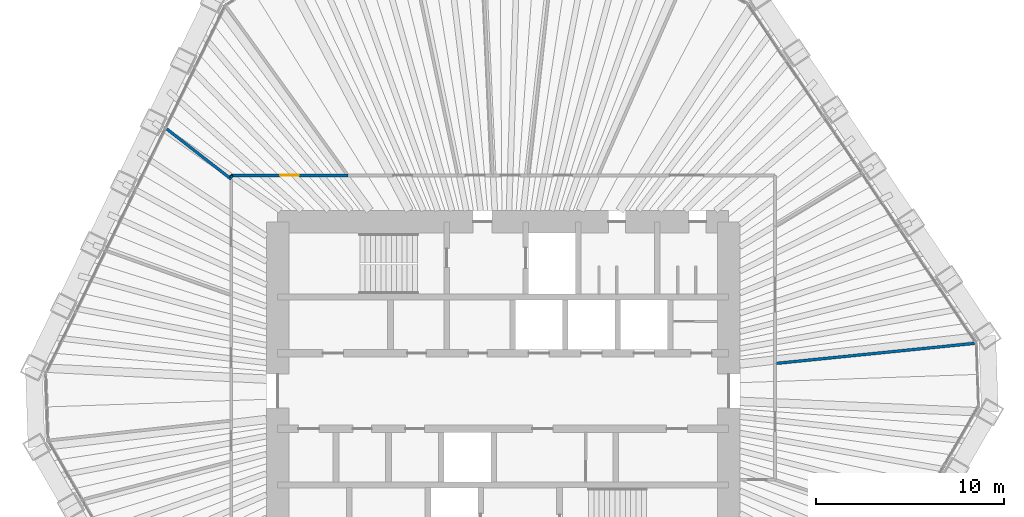
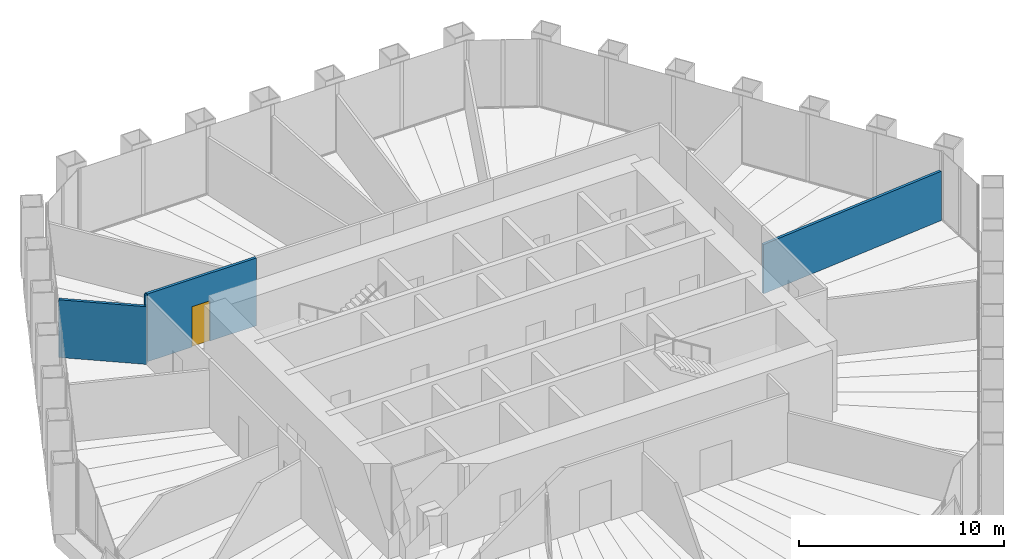
# One storey, part 12 of 14: 4 walls, 1 door, 1 opening.
"""IFC4 building model written with IfcOpenShell, lengths in metres."""

from ifc_helpers import new_model, si_unit, direction, frame, frame_2d, origin, place, context, subcontext, project, spatial, rectangle, extrude, material, layer, layer_set, type_object, element, fill, save


model = new_model("IFC4")

# Units and contexts
model_context = context("Model", 3, precision=1e-05, world=origin(), true_north=direction((0.0, 1.0)))
body_context = subcontext(model_context, "Body", "Model", "MODEL_VIEW")
ifc_project = project(units=[si_unit("LENGTHUNIT", "METRE"), si_unit("AREAUNIT", "SQUARE_METRE"), si_unit("VOLUMEUNIT", "CUBIC_METRE"), si_unit("PLANEANGLEUNIT", "RADIAN"), si_unit("MASSUNIT", "GRAM", prefix="KILO")], contexts=[model_context])

# Site, building, storey
site_placement = place(None, origin())
site = spatial("IfcSite", under=ifc_project, at=site_placement, CompositionType="ELEMENT")
building_placement = place(site_placement, origin())
building = spatial("IfcBuilding", under=site, at=building_placement, Name="Qingtian Harvest Tower", CompositionType="ELEMENT")
storey_placement = place(building_placement, frame((0.0, 0.0, 197.199951171875)))
storey = spatial("IfcBuildingStorey", under=building, at=storey_placement, Name="L42", CompositionType="ELEMENT", Elevation=197.199951171875)

# Walls
ifc_material_1 = material(Name="Gypsum board on steel studs", Category="steel")
ifc_layer = layer(ifc_material_1, 0.14990234375)
ifc_layer_set = layer_set([ifc_layer], Name="Partition PT1 150")
wall_type = type_object("IfcWallType", Name="Partition PT1 150", PredefinedType="PARTITIONING", material=ifc_layer_set)
wall_1_placement = place(storey_placement, frame((25.082763671875, 2.53466796875, 0.0), z_axis=(0.0, 0.0, 1.0), x_axis=(-0.994932122767, -0.10054884925, 0.0)))
element("IfcWall", 1, at=wall_1_placement, inside=storey, type_object=wall_type, Name="Meeting room wall L42", PredefinedType="PARTITIONING", context=body_context, shape_type="SweptSolid", body=[
    extrude(rectangle(XDim=10.66162109375, YDim=0.14990234375, at=frame_2d((5.330810546875, 0.0))), origin(), (0.0, 0.0, 1.0), 2.929931640625),
])
wall_2_placement = place(storey_placement, frame((-17.901611328125, 13.94287109375, 0.0), z_axis=(0.0, 0.0, 1.0), x_axis=(0.788919197717, -0.614496948303, 0.0)))
element("IfcWall", 2, at=wall_2_placement, inside=storey, type_object=wall_type, Name="Office suite wall L42", PredefinedType="PARTITIONING", context=body_context, shape_type="SweptSolid", body=[
    extrude(rectangle(XDim=4.34326171875, YDim=0.14990234375, at=frame_2d((2.171630859375, 0.0))), origin(), (0.0, 0.0, 1.0), 3.429931640625),
])
wall_3_placement = place(storey_placement, frame((-14.47509765625, 11.369140625, 0.0), z_axis=(0.0, 0.0, 1.0), x_axis=(0.0, 1.0, 0.0)))
element("IfcWall", 3, at=wall_3_placement, inside=storey, type_object=wall_type, Name="Office suite wall L42", PredefinedType="PARTITIONING", context=body_context, shape_type="SweptSolid", body=[
    extrude(rectangle(XDim=0.10595703125, YDim=0.14990234375, at=frame_2d((0.052978515625, 0.0))), origin(), (0.0, 0.0, 1.0), 4.030029296875),
])

# Wall, opening, door
wall_4_placement = place(storey_placement, frame((-14.47509765625, 11.47509765625, 0.0), z_axis=(0.0, 0.0, 1.0), x_axis=(1.0, 0.0, 0.0)))
wall_4 = element("IfcWall", 4, at=wall_4_placement, inside=storey, type_object=wall_type, Name="Office suite wall L42", PredefinedType="PARTITIONING", context=body_context, shape_type="SweptSolid", body=[
    extrude(rectangle(XDim=6.2080078125, YDim=0.14990234375, at=frame_2d((3.10400390625, 0.0))), origin(), (0.0, 0.0, 1.0), 4.030029296875),
])
opening_placement = place(wall_4_placement, frame((2.60400390625, 0.0, 0.0)))
opening = element("IfcOpeningElement", 5, at=opening_placement, cuts=wall_4, Name="Opening D2", PredefinedType="OPENING", context=body_context, shape_type="SweptSolid", body=[
    extrude(rectangle(XDim=1.0, YDim=2.39990234375, at=frame_2d((0.5, 1.199951171875))), frame((0.0, 0.0849609375, 0.0), z_axis=(0.0, -1.0, 0.0), x_axis=(1.0, 0.0, 0.0)), (0.0, 0.0, 1.0), 0.169921875),
])
ifc_material_2 = material(Name="Laminated timber door leaf", Category="wood")
door_type = type_object("IfcDoorType", Name="Room door D2 single", OperationType="SINGLE_SWING_LEFT", PredefinedType="DOOR", material=ifc_material_2)
door_placement = place(opening_placement, origin())
door = element("IfcDoor", 6, at=door_placement, inside=storey, type_object=door_type, Name="Office suite door L42", OperationType="SINGLE_SWING_LEFT", OverallHeight=2.39990234375, OverallWidth=1.0, PredefinedType="DOOR", context=body_context, shape_type="SweptSolid", body=[
    extrude(rectangle(XDim=1.0, YDim=2.39990234375, at=frame_2d((0.5, 1.199951171875))), frame((0.0, 0.02490234375, 0.0), z_axis=(0.0, -1.0, 0.0), x_axis=(1.0, 0.0, 0.0)), (0.0, 0.0, 1.0), 0.050048828125),
])
fill(opening, door)

save(model, "model.ifc")
